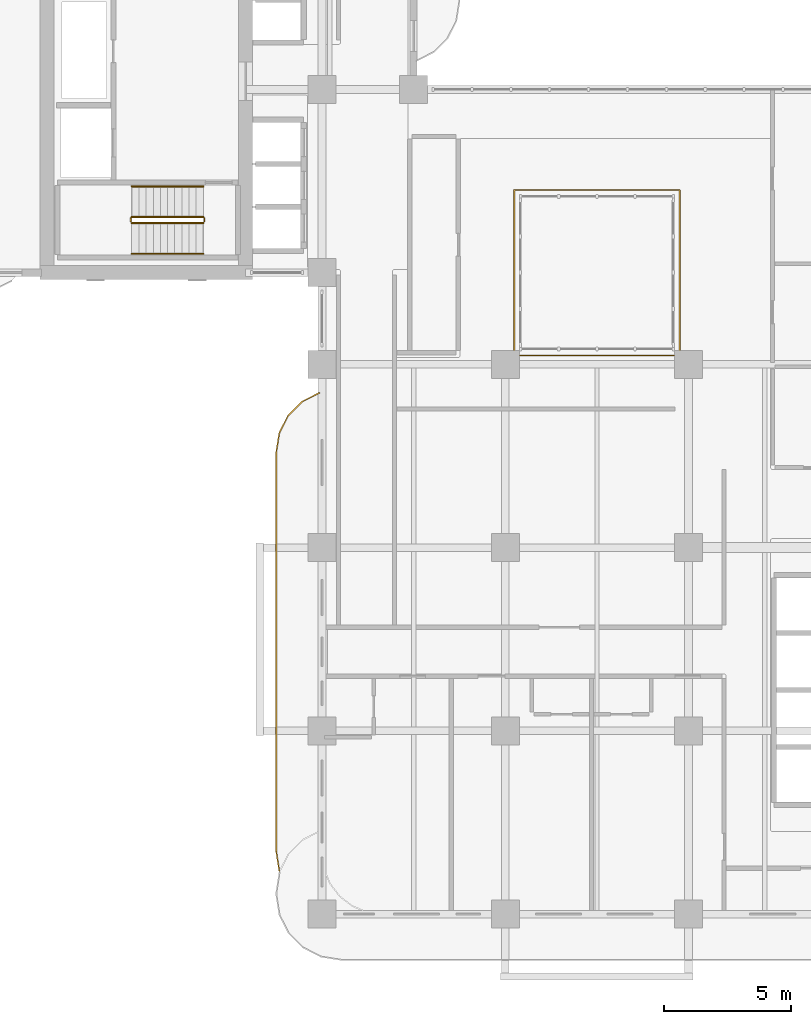
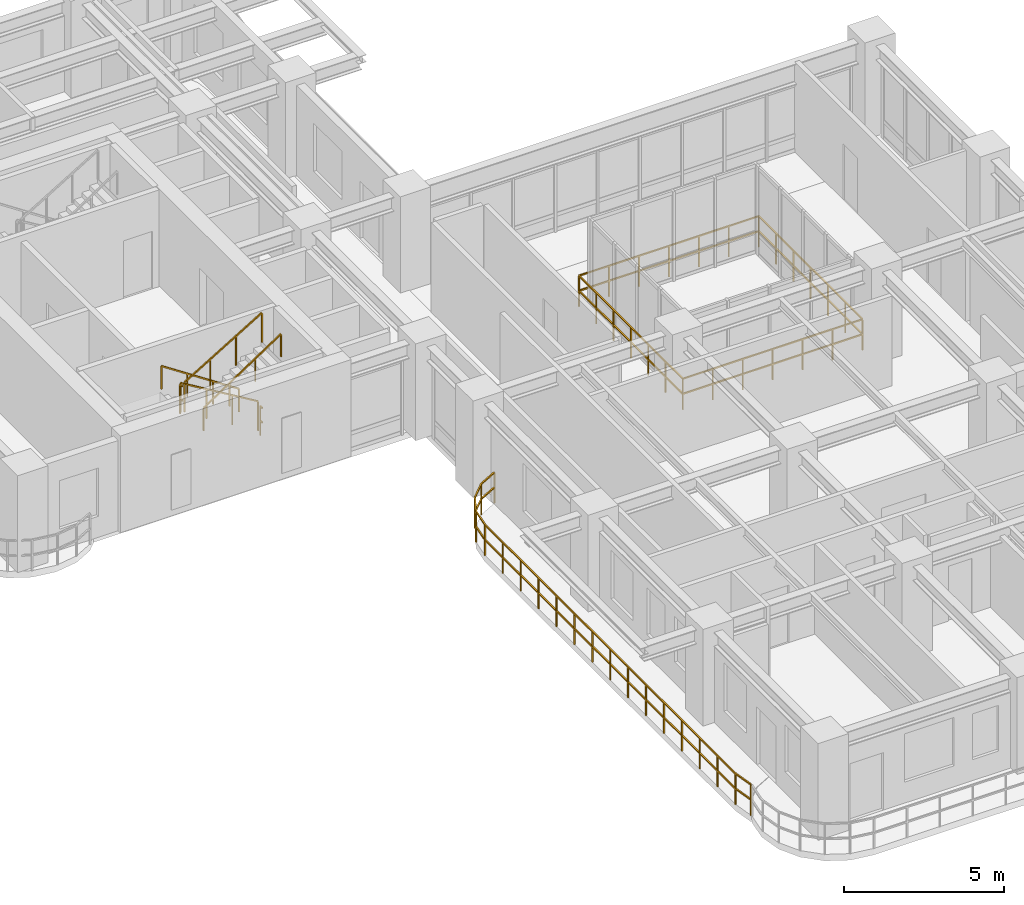
# One storey, part 18 of 22: 8 railings.
"""IFC4 building model written with IfcOpenShell, lengths in metres."""

from ifc_helpers import new_model, si_unit, derived_unit, direction, frame, origin, origin_2d, place, context, subcontext, project, spatial, rectangle, extrude, material, type_object, element, save


model = new_model("IFC4")

# Units and contexts
model_context = context("Model", 3, precision=1e-05, world=origin(), true_north=direction((0.0, 1.0)))
body_context = subcontext(model_context, "Body", "Model", "MODEL_VIEW")
ifc_project = project(units=[si_unit("LENGTHUNIT", "METRE"), si_unit("AREAUNIT", "SQUARE_METRE"), si_unit("VOLUMEUNIT", "CUBIC_METRE"), si_unit("PLANEANGLEUNIT", "RADIAN"), si_unit("MASSUNIT", "GRAM", prefix="KILO"), si_unit("THERMODYNAMICTEMPERATUREUNIT", "KELVIN"), si_unit("POWERUNIT", "WATT"), derived_unit("THERMALTRANSMITTANCEUNIT", [(si_unit("POWERUNIT", "WATT"), 1), (si_unit("AREAUNIT", "SQUARE_METRE"), -1), (si_unit("THERMODYNAMICTEMPERATUREUNIT", "KELVIN"), -1)])], contexts=[model_context])

# Site, building, storey
site_placement = place(None, origin())
site = spatial("IfcSite", under=ifc_project, at=site_placement, CompositionType="ELEMENT")
building_placement = place(site_placement, origin())
building = spatial("IfcBuilding", under=site, at=building_placement, Name="Zahravan Archway Hotel and Residences", CompositionType="ELEMENT")
storey_placement = place(building_placement, frame((0.0, 0.0, 73.10009765625)))
storey = spatial("IfcBuildingStorey", under=building, at=storey_placement, Name="L17", CompositionType="ELEMENT", Elevation=73.10009765625)

# Railings
ifc_material_1 = material(Name="Atrium Laminated Glass Guardrail", Category="glass")
railing_type_1 = type_object("IfcRailingType", Name="RL-ATR-1200", PredefinedType="BALUSTRADE", material=ifc_material_1)
railing_1_placement = place(storey_placement, frame((21.949951171875, 21.949951171875, 0.0)))
element("IfcRailing", 1, at=railing_1_placement, inside=storey, type_object=railing_type_1, Name="L17 Balustrade RL-ATR-L17", PredefinedType="BALUSTRADE", context=body_context, shape_type="SweptSolid", body=[
    extrude(rectangle(XDim=0.048095703125, YDim=0.048095703125, at=origin_2d()), frame((0.0, 0.0, 1.17578125), z_axis=(1.0, 0.0, 0.0), x_axis=(0.0, 1.0, 0.0)), (0.0, 0.0, 1.0), 6.5),
    extrude(rectangle(XDim=0.048095703125, YDim=0.048095703125, at=origin_2d()), frame((0.0, 0.0, 0.60009765625), z_axis=(1.0, 0.0, 0.0), x_axis=(0.0, 1.0, 0.0)), (0.0, 0.0, 1.0), 6.5),
    extrude(rectangle(XDim=0.048095703125, YDim=0.048095703125, at=origin_2d()), frame((6.5, 0.0, 1.17578125), z_axis=(0.0, 1.0, 0.0), x_axis=(-1.0, 0.0, 0.0)), (0.0, 0.0, 1.0), 6.5),
    extrude(rectangle(XDim=0.048095703125, YDim=0.048095703125, at=origin_2d()), frame((6.5, 0.0, 0.60009765625), z_axis=(0.0, 1.0, 0.0), x_axis=(-1.0, 0.0, 0.0)), (0.0, 0.0, 1.0), 6.5),
    extrude(rectangle(XDim=0.048095703125, YDim=0.048095703125, at=origin_2d()), frame((6.5, 6.5, 1.17578125), z_axis=(-1.0, 0.0, 0.0), x_axis=(0.0, -1.0, 0.0)), (0.0, 0.0, 1.0), 6.5),
    extrude(rectangle(XDim=0.048095703125, YDim=0.048095703125, at=origin_2d()), frame((6.5, 6.5, 0.60009765625), z_axis=(-1.0, 0.0, 0.0), x_axis=(0.0, -1.0, 0.0)), (0.0, 0.0, 1.0), 6.5),
    extrude(rectangle(XDim=0.048095703125, YDim=0.048095703125, at=origin_2d()), frame((0.0, 6.5, 1.17578125), z_axis=(0.0, -1.0, 0.0), x_axis=(1.0, 0.0, 0.0)), (0.0, 0.0, 1.0), 6.5),
    extrude(rectangle(XDim=0.048095703125, YDim=0.048095703125, at=origin_2d()), frame((0.0, 6.5, 0.60009765625), z_axis=(0.0, -1.0, 0.0), x_axis=(1.0, 0.0, 0.0)), (0.0, 0.0, 1.0), 6.5),
    extrude(rectangle(XDim=0.0419921875, YDim=0.0419921875, at=origin_2d()), origin(), (0.0, 0.0, 1.0), 1.15185546875),
    extrude(rectangle(XDim=0.0419921875, YDim=0.0419921875, at=origin_2d()), frame((1.083251953125, 0.0, 0.0)), (0.0, 0.0, 1.0), 1.15185546875),
    extrude(rectangle(XDim=0.0419921875, YDim=0.0419921875, at=origin_2d()), frame((2.166748046875, 0.0, 0.0)), (0.0, 0.0, 1.0), 1.15185546875),
    extrude(rectangle(XDim=0.0419921875, YDim=0.0419921875, at=origin_2d()), frame((3.25, 0.0, 0.0)), (0.0, 0.0, 1.0), 1.15185546875),
    extrude(rectangle(XDim=0.0419921875, YDim=0.0419921875, at=origin_2d()), frame((4.333251953125, 0.0, 0.0)), (0.0, 0.0, 1.0), 1.15185546875),
    extrude(rectangle(XDim=0.0419921875, YDim=0.0419921875, at=origin_2d()), frame((5.416748046875, 0.0, 0.0)), (0.0, 0.0, 1.0), 1.15185546875),
    extrude(rectangle(XDim=0.0419921875, YDim=0.0419921875, at=origin_2d()), frame((6.5, 0.0, 0.0)), (0.0, 0.0, 1.0), 1.15185546875),
    extrude(rectangle(XDim=0.0419921875, YDim=0.0419921875, at=origin_2d()), frame((6.5, 1.083251953125, 0.0)), (0.0, 0.0, 1.0), 1.15185546875),
    extrude(rectangle(XDim=0.0419921875, YDim=0.0419921875, at=origin_2d()), frame((6.5, 2.166748046875, 0.0)), (0.0, 0.0, 1.0), 1.15185546875),
    extrude(rectangle(XDim=0.0419921875, YDim=0.0419921875, at=origin_2d()), frame((6.5, 3.25, 0.0)), (0.0, 0.0, 1.0), 1.15185546875),
    extrude(rectangle(XDim=0.0419921875, YDim=0.0419921875, at=origin_2d()), frame((6.5, 4.333251953125, 0.0)), (0.0, 0.0, 1.0), 1.15185546875),
    extrude(rectangle(XDim=0.0419921875, YDim=0.0419921875, at=origin_2d()), frame((6.5, 5.416748046875, 0.0)), (0.0, 0.0, 1.0), 1.15185546875),
    extrude(rectangle(XDim=0.0419921875, YDim=0.0419921875, at=origin_2d()), frame((6.5, 6.5, 0.0)), (0.0, 0.0, 1.0), 1.15185546875),
    extrude(rectangle(XDim=0.0419921875, YDim=0.0419921875, at=origin_2d()), frame((5.416748046875, 6.5, 0.0)), (0.0, 0.0, 1.0), 1.15185546875),
    extrude(rectangle(XDim=0.0419921875, YDim=0.0419921875, at=origin_2d()), frame((4.333251953125, 6.5, 0.0)), (0.0, 0.0, 1.0), 1.15185546875),
    extrude(rectangle(XDim=0.0419921875, YDim=0.0419921875, at=origin_2d()), frame((3.25, 6.5, 0.0)), (0.0, 0.0, 1.0), 1.15185546875),
    extrude(rectangle(XDim=0.0419921875, YDim=0.0419921875, at=origin_2d()), frame((2.166748046875, 6.5, 0.0)), (0.0, 0.0, 1.0), 1.15185546875),
    extrude(rectangle(XDim=0.0419921875, YDim=0.0419921875, at=origin_2d()), frame((1.083251953125, 6.5, 0.0)), (0.0, 0.0, 1.0), 1.15185546875),
    extrude(rectangle(XDim=0.0419921875, YDim=0.0419921875, at=origin_2d()), frame((0.0, 6.5, 0.0)), (0.0, 0.0, 1.0), 1.15185546875),
    extrude(rectangle(XDim=0.0419921875, YDim=0.0419921875, at=origin_2d()), frame((0.0, 5.416748046875, 0.0)), (0.0, 0.0, 1.0), 1.15185546875),
    extrude(rectangle(XDim=0.0419921875, YDim=0.0419921875, at=origin_2d()), frame((0.0, 4.333251953125, 0.0)), (0.0, 0.0, 1.0), 1.15185546875),
    extrude(rectangle(XDim=0.0419921875, YDim=0.0419921875, at=origin_2d()), frame((0.0, 3.25, 0.0)), (0.0, 0.0, 1.0), 1.15185546875),
    extrude(rectangle(XDim=0.0419921875, YDim=0.0419921875, at=origin_2d()), frame((0.0, 2.166748046875, 0.0)), (0.0, 0.0, 1.0), 1.15185546875),
    extrude(rectangle(XDim=0.0419921875, YDim=0.0419921875, at=origin_2d()), frame((0.0, 1.083251953125, 0.0)), (0.0, 0.0, 1.0), 1.15185546875),
])
ifc_material_2 = material(Name="Bronze & Laminated Glass Balustrade", Category="glass")
railing_type_2 = type_object("IfcRailingType", Name="RL-BAL-1200", PredefinedType="BALUSTRADE", material=ifc_material_2)
railing_2_placement = place(storey_placement, frame((12.719970703125, 1.69287109375, 0.0)))
element("IfcRailing", 2, at=railing_2_placement, inside=storey, type_object=railing_type_2, Name="L17 Balustrade RL-SLB-BAL-L17-WA-1", PredefinedType="BALUSTRADE", context=body_context, shape_type="SweptSolid", body=[
    extrude(rectangle(XDim=0.048095703125, YDim=0.048095703125, at=origin_2d()), frame((0.0, 0.0, 1.17578125), z_axis=(-0.156387811283, 0.987695728695, 0.0), x_axis=(-0.987695728695, -0.156387811283, 0.0)), (0.0, 0.0, 1.0), 0.7666015625),
    extrude(rectangle(XDim=0.048095703125, YDim=0.048095703125, at=origin_2d()), frame((0.0, 0.0, 0.60009765625), z_axis=(-0.156387811283, 0.987695728695, 0.0), x_axis=(-0.987695728695, -0.156387811283, 0.0)), (0.0, 0.0, 1.0), 0.7666015625),
    extrude(rectangle(XDim=0.048095703125, YDim=0.048095703125, at=origin_2d()), frame((-0.119873046875, 0.757080078125, 1.17578125), z_axis=(0.0, 1.0, 0.0), x_axis=(-1.0, 0.0, 0.0)), (0.0, 0.0, 1.0), 15.699951171875),
    extrude(rectangle(XDim=0.048095703125, YDim=0.048095703125, at=origin_2d()), frame((-0.119873046875, 0.757080078125, 0.60009765625), z_axis=(0.0, 1.0, 0.0), x_axis=(-1.0, 0.0, 0.0)), (0.0, 0.0, 1.0), 15.699951171875),
    extrude(rectangle(XDim=0.048095703125, YDim=0.048095703125, at=origin_2d()), frame((-0.119873046875, 16.45703125, 1.17578125), z_axis=(0.156387811283, 0.987695728695, 0.0), x_axis=(-0.987695728695, 0.156387811283, 0.0)), (0.0, 0.0, 1.0), 0.7666015625),
    extrude(rectangle(XDim=0.048095703125, YDim=0.048095703125, at=origin_2d()), frame((-0.119873046875, 16.45703125, 0.60009765625), z_axis=(0.156387811283, 0.987695728695, 0.0), x_axis=(-0.987695728695, 0.156387811283, 0.0)), (0.0, 0.0, 1.0), 0.7666015625),
    extrude(rectangle(XDim=0.048095703125, YDim=0.048095703125, at=origin_2d()), frame((0.0, 17.214111328125, 1.17578125), z_axis=(0.453825591531, 0.891090529897, 0.0), x_axis=(-0.891090529897, 0.453825591531, 0.0)), (0.0, 0.0, 1.0), 0.7666015625),
    extrude(rectangle(XDim=0.048095703125, YDim=0.048095703125, at=origin_2d()), frame((0.0, 17.214111328125, 0.60009765625), z_axis=(0.453825591531, 0.891090529897, 0.0), x_axis=(-0.891090529897, 0.453825591531, 0.0)), (0.0, 0.0, 1.0), 0.7666015625),
    extrude(rectangle(XDim=0.048095703125, YDim=0.048095703125, at=origin_2d()), frame((0.347900390625, 17.897216796875, 1.17578125), z_axis=(0.707106781187, 0.707106781187, 0.0), x_axis=(-0.707106781187, 0.707106781187, 0.0)), (0.0, 0.0, 1.0), 0.7666015625),
    extrude(rectangle(XDim=0.048095703125, YDim=0.048095703125, at=origin_2d()), frame((0.347900390625, 17.897216796875, 0.60009765625), z_axis=(0.707106781187, 0.707106781187, 0.0), x_axis=(-0.707106781187, 0.707106781187, 0.0)), (0.0, 0.0, 1.0), 0.7666015625),
    extrude(rectangle(XDim=0.048095703125, YDim=0.048095703125, at=origin_2d()), frame((0.889892578125, 18.439208984375, 1.17578125), z_axis=(0.891090529897, 0.453825591531, 0.0), x_axis=(-0.453825591531, 0.891090529897, 0.0)), (0.0, 0.0, 1.0), 0.7666015625),
    extrude(rectangle(XDim=0.048095703125, YDim=0.048095703125, at=origin_2d()), frame((0.889892578125, 18.439208984375, 0.60009765625), z_axis=(0.891090529897, 0.453825591531, 0.0), x_axis=(-0.453825591531, 0.891090529897, 0.0)), (0.0, 0.0, 1.0), 0.7666015625),
    extrude(rectangle(XDim=0.0419921875, YDim=0.0419921875, at=origin_2d()), origin(), (0.0, 0.0, 1.0), 1.15185546875),
    extrude(rectangle(XDim=0.0419921875, YDim=0.0419921875, at=origin_2d()), frame((-0.119873046875, 0.757080078125, 0.0)), (0.0, 0.0, 1.0), 1.15185546875),
    extrude(rectangle(XDim=0.0419921875, YDim=0.0419921875, at=origin_2d()), frame((-0.119873046875, 1.87841796875, 0.0)), (0.0, 0.0, 1.0), 1.15185546875),
    extrude(rectangle(XDim=0.0419921875, YDim=0.0419921875, at=origin_2d()), frame((-0.119873046875, 3.0, 0.0)), (0.0, 0.0, 1.0), 1.15185546875),
    extrude(rectangle(XDim=0.0419921875, YDim=0.0419921875, at=origin_2d()), frame((-0.119873046875, 4.121337890625, 0.0)), (0.0, 0.0, 1.0), 1.15185546875),
    extrude(rectangle(XDim=0.0419921875, YDim=0.0419921875, at=origin_2d()), frame((-0.119873046875, 5.24267578125, 0.0)), (0.0, 0.0, 1.0), 1.15185546875),
    extrude(rectangle(XDim=0.0419921875, YDim=0.0419921875, at=origin_2d()), frame((-0.119873046875, 6.3642578125, 0.0)), (0.0, 0.0, 1.0), 1.15185546875),
    extrude(rectangle(XDim=0.0419921875, YDim=0.0419921875, at=origin_2d()), frame((-0.119873046875, 7.485595703125, 0.0)), (0.0, 0.0, 1.0), 1.15185546875),
    extrude(rectangle(XDim=0.0419921875, YDim=0.0419921875, at=origin_2d()), frame((-0.119873046875, 8.60693359375, 0.0)), (0.0, 0.0, 1.0), 1.15185546875),
    extrude(rectangle(XDim=0.0419921875, YDim=0.0419921875, at=origin_2d()), frame((-0.119873046875, 9.728515625, 0.0)), (0.0, 0.0, 1.0), 1.15185546875),
    extrude(rectangle(XDim=0.0419921875, YDim=0.0419921875, at=origin_2d()), frame((-0.119873046875, 10.849853515625, 0.0)), (0.0, 0.0, 1.0), 1.15185546875),
    extrude(rectangle(XDim=0.0419921875, YDim=0.0419921875, at=origin_2d()), frame((-0.119873046875, 11.971435546875, 0.0)), (0.0, 0.0, 1.0), 1.15185546875),
    extrude(rectangle(XDim=0.0419921875, YDim=0.0419921875, at=origin_2d()), frame((-0.119873046875, 13.0927734375, 0.0)), (0.0, 0.0, 1.0), 1.15185546875),
    extrude(rectangle(XDim=0.0419921875, YDim=0.0419921875, at=origin_2d()), frame((-0.119873046875, 14.214111328125, 0.0)), (0.0, 0.0, 1.0), 1.15185546875),
    extrude(rectangle(XDim=0.0419921875, YDim=0.0419921875, at=origin_2d()), frame((-0.119873046875, 15.335693359375, 0.0)), (0.0, 0.0, 1.0), 1.15185546875),
    extrude(rectangle(XDim=0.0419921875, YDim=0.0419921875, at=origin_2d()), frame((-0.119873046875, 16.45703125, 0.0)), (0.0, 0.0, 1.0), 1.15185546875),
    extrude(rectangle(XDim=0.0419921875, YDim=0.0419921875, at=origin_2d()), frame((0.0, 17.214111328125, 0.0)), (0.0, 0.0, 1.0), 1.15185546875),
    extrude(rectangle(XDim=0.0419921875, YDim=0.0419921875, at=origin_2d()), frame((0.347900390625, 17.897216796875, 0.0)), (0.0, 0.0, 1.0), 1.15185546875),
    extrude(rectangle(XDim=0.0419921875, YDim=0.0419921875, at=origin_2d()), frame((0.889892578125, 18.439208984375, 0.0)), (0.0, 0.0, 1.0), 1.15185546875),
    extrude(rectangle(XDim=0.0419921875, YDim=0.0419921875, at=origin_2d()), frame((1.572998046875, 18.787109375, 0.0)), (0.0, 0.0, 1.0), 1.15185546875),
])
ifc_material_3 = material(Name="Painted Tubular Steel", Category="steel")
railing_type_3 = type_object("IfcRailingType", Name="RL-STG-1150", PredefinedType="GUARDRAIL", material=ifc_material_3)
railing_3_placement = place(storey_placement, frame((9.72998046875, 27.389892578125, 0.16796875)))
element("IfcRailing", 3, at=railing_3_placement, inside=storey, type_object=railing_type_3, Name="L17 ST-B1 stair guard 1", PredefinedType="GUARDRAIL", context=body_context, shape_type="SweptSolid", body=[
    extrude(rectangle(XDim=0.048095703125, YDim=0.048095703125, at=origin_2d()), frame((0.0, 0.0, 1.1259765625), z_axis=(-0.857242210791, 0.0, 0.514913383045), x_axis=(0.0, -1.0, 0.0)), (0.0, 0.0, 1.0), 3.266357421875),
    extrude(rectangle(XDim=0.0419921875, YDim=0.0419921875, at=origin_2d()), origin(), (0.0, 0.0, 1.0), 1.101806640625),
    extrude(rectangle(XDim=0.0419921875, YDim=0.0419921875, at=origin_2d()), frame((-0.933349609375, 0.0, 0.560546875)), (0.0, 0.0, 1.0), 1.101806640625),
    extrude(rectangle(XDim=0.0419921875, YDim=0.0419921875, at=origin_2d()), frame((-1.86669921875, 0.0, 1.121337890625)), (0.0, 0.0, 1.0), 1.101806640625),
    extrude(rectangle(XDim=0.0419921875, YDim=0.0419921875, at=origin_2d()), frame((-2.800048828125, 0.0, 1.681884765625)), (0.0, 0.0, 1.0), 1.101806640625),
])
railing_4_placement = place(storey_placement, frame((6.8798828125, 27.340087890625, 1.849853515625)))
element("IfcRailing", 4, at=railing_4_placement, inside=storey, type_object=railing_type_3, Name="L17 ST-B1 stair guard 2", PredefinedType="GUARDRAIL", context=body_context, shape_type="SweptSolid", body=[
    extrude(rectangle(XDim=0.048095703125, YDim=0.048095703125, at=origin_2d()), frame((0.0, 0.0, 1.1259765625), z_axis=(0.0, -1.0, 0.0), x_axis=(1.0, 0.0, 0.0)), (0.0, 0.0, 1.0), 0.14013671875),
    extrude(rectangle(XDim=0.048095703125, YDim=0.048095703125, at=origin_2d()), frame((0.0, 0.0, 0.574951171875), z_axis=(0.0, -1.0, 0.0), x_axis=(1.0, 0.0, 0.0)), (0.0, 0.0, 1.0), 0.14013671875),
    extrude(rectangle(XDim=0.0419921875, YDim=0.0419921875, at=origin_2d()), origin(), (0.0, 0.0, 1.0), 1.101806640625),
])
railing_5_placement = place(storey_placement, frame((6.929931640625, 27.14990234375, 2.01806640625)))
element("IfcRailing", 5, at=railing_5_placement, inside=storey, type_object=railing_type_3, Name="L17 ST-B1 stair guard 3", PredefinedType="GUARDRAIL", context=body_context, shape_type="SweptSolid", body=[
    extrude(rectangle(XDim=0.048095703125, YDim=0.048095703125, at=origin_2d()), frame((0.0, 0.0, 1.1259765625), z_axis=(0.857242210791, 0.0, 0.514913383045), x_axis=(0.0, 1.0, 0.0)), (0.0, 0.0, 1.0), 3.266357421875),
    extrude(rectangle(XDim=0.0419921875, YDim=0.0419921875, at=origin_2d()), origin(), (0.0, 0.0, 1.0), 1.101806640625),
    extrude(rectangle(XDim=0.0419921875, YDim=0.0419921875, at=origin_2d()), frame((0.933349609375, 0.0, 0.560546875)), (0.0, 0.0, 1.0), 1.101806640625),
    extrude(rectangle(XDim=0.0419921875, YDim=0.0419921875, at=origin_2d()), frame((1.86669921875, 0.0, 1.121337890625)), (0.0, 0.0, 1.0), 1.101806640625),
    extrude(rectangle(XDim=0.0419921875, YDim=0.0419921875, at=origin_2d()), frame((2.800048828125, 0.0, 1.681884765625)), (0.0, 0.0, 1.0), 1.101806640625),
])
railing_6_placement = place(storey_placement, frame((9.780029296875, 27.340087890625, 0.0)))
element("IfcRailing", 6, at=railing_6_placement, inside=storey, type_object=railing_type_3, Name="L17 ST-B1 stair guard 4", PredefinedType="GUARDRAIL", context=body_context, shape_type="SweptSolid", body=[
    extrude(rectangle(XDim=0.048095703125, YDim=0.048095703125, at=origin_2d()), frame((0.0, 0.0, 1.1259765625), z_axis=(0.0, -1.0, 0.0), x_axis=(1.0, 0.0, 0.0)), (0.0, 0.0, 1.0), 0.14013671875),
    extrude(rectangle(XDim=0.048095703125, YDim=0.048095703125, at=origin_2d()), frame((0.0, 0.0, 0.574951171875), z_axis=(0.0, -1.0, 0.0), x_axis=(1.0, 0.0, 0.0)), (0.0, 0.0, 1.0), 0.14013671875),
    extrude(rectangle(XDim=0.0419921875, YDim=0.0419921875, at=origin_2d()), origin(), (0.0, 0.0, 1.0), 1.101806640625),
])
ifc_material_4 = material(Name="Brushed Stainless Steel", Category="steel")
railing_type_4 = type_object("IfcRailingType", Name="RL-STH-900", PredefinedType="HANDRAIL", material=ifc_material_4)
railing_7_placement = place(storey_placement, frame((9.72998046875, 28.590087890625, 0.16796875)))
element("IfcRailing", 7, at=railing_7_placement, inside=storey, type_object=railing_type_4, Name="L17 ST-B1 stair handrail 1", PredefinedType="HANDRAIL", context=body_context, shape_type="SweptSolid", body=[
    extrude(rectangle(XDim=0.048095703125, YDim=0.048095703125, at=origin_2d()), frame((0.0, 0.0, 0.8759765625), z_axis=(-0.834326358476, 0.0, 0.551270829586), x_axis=(0.0, -1.0, 0.0)), (0.0, 0.0, 1.0), 3.35595703125),
    extrude(rectangle(XDim=0.0419921875, YDim=0.0419921875, at=origin_2d()), origin(), (0.0, 0.0, 1.0), 0.851806640625),
    extrude(rectangle(XDim=0.0419921875, YDim=0.0419921875, at=origin_2d()), frame((-0.933349609375, 0.0, 0.61669921875)), (0.0, 0.0, 1.0), 0.851806640625),
    extrude(rectangle(XDim=0.0419921875, YDim=0.0419921875, at=origin_2d()), frame((-1.86669921875, 0.0, 1.2333984375)), (0.0, 0.0, 1.0), 0.851806640625),
    extrude(rectangle(XDim=0.0419921875, YDim=0.0419921875, at=origin_2d()), frame((-2.800048828125, 0.0, 1.85009765625)), (0.0, 0.0, 1.0), 0.851806640625),
])
railing_8_placement = place(storey_placement, frame((6.929931640625, 25.949951171875, 2.01806640625)))
element("IfcRailing", 8, at=railing_8_placement, inside=storey, type_object=railing_type_4, Name="L17 ST-B1 stair handrail 2", PredefinedType="HANDRAIL", context=body_context, shape_type="SweptSolid", body=[
    extrude(rectangle(XDim=0.048095703125, YDim=0.048095703125, at=origin_2d()), frame((0.0, 0.0, 0.8759765625), z_axis=(0.834326358476, 0.0, 0.551270829586), x_axis=(0.0, 1.0, 0.0)), (0.0, 0.0, 1.0), 3.35595703125),
    extrude(rectangle(XDim=0.0419921875, YDim=0.0419921875, at=origin_2d()), origin(), (0.0, 0.0, 1.0), 0.851806640625),
    extrude(rectangle(XDim=0.0419921875, YDim=0.0419921875, at=origin_2d()), frame((0.933349609375, 0.0, 0.61669921875)), (0.0, 0.0, 1.0), 0.851806640625),
    extrude(rectangle(XDim=0.0419921875, YDim=0.0419921875, at=origin_2d()), frame((1.86669921875, 0.0, 1.2333984375)), (0.0, 0.0, 1.0), 0.851806640625),
    extrude(rectangle(XDim=0.0419921875, YDim=0.0419921875, at=origin_2d()), frame((2.800048828125, 0.0, 1.85009765625)), (0.0, 0.0, 1.0), 0.851806640625),
])

save(model, "model.ifc")
